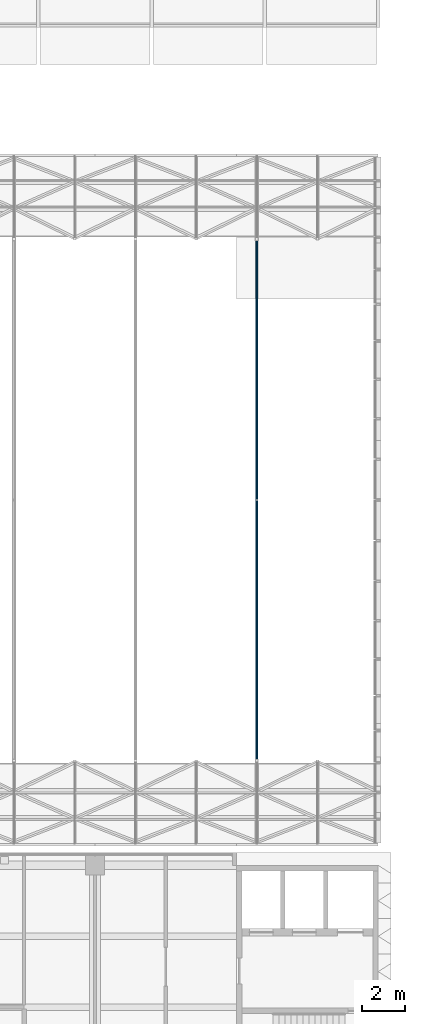
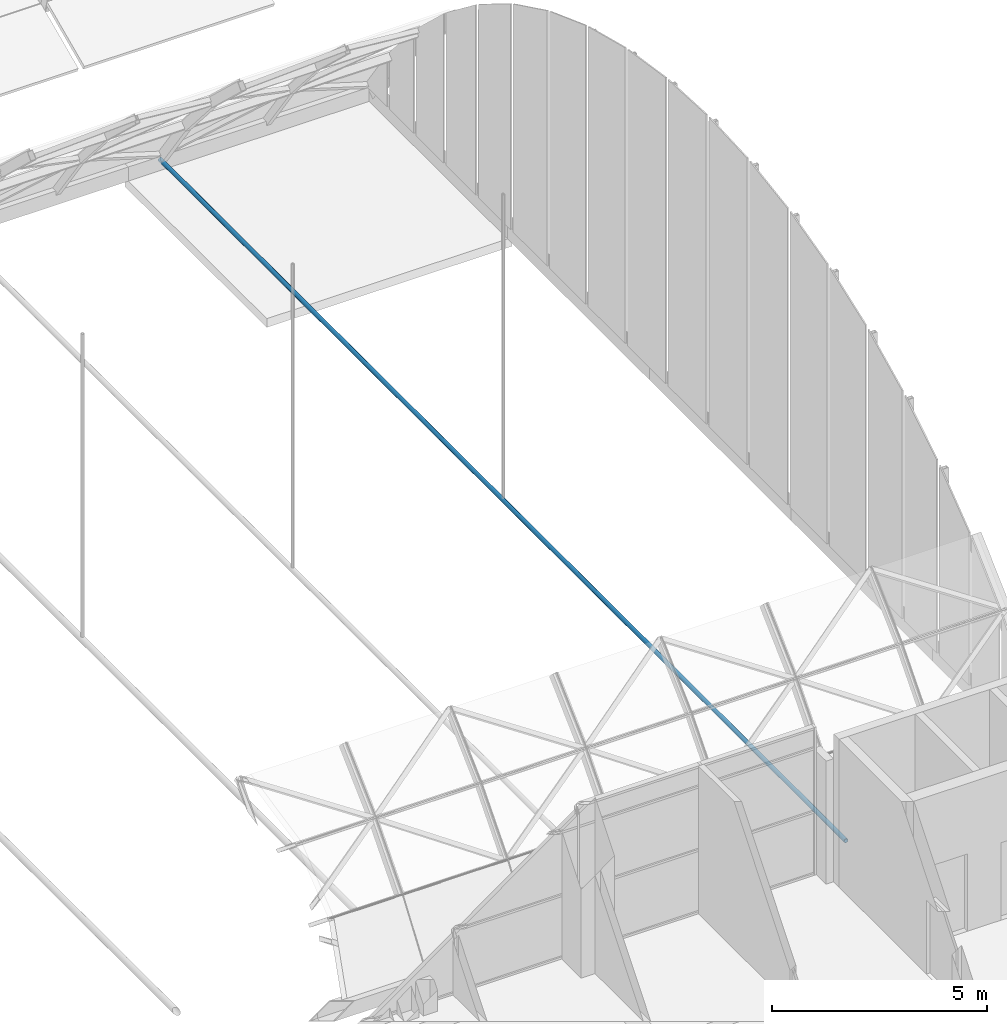
# One storey, part 33 of 109: 1 member.
"""IFC4 building model written with IfcOpenShell, lengths in metres."""

import ifcopenshell
import ifcopenshell.guid

model = None  # the IFC model being written
_history = None  # IfcOwnerHistory: only IFC2X3 demands one
_inside = {}  # id of a spatial element -> (the spatial element, [elements in it])
_under = {}  # id of a project, library or spatial element -> (it, [spatial elements below it])
_declared = {}  # id of a project -> (the project, [libraries it declares])
_typed = {}  # id of a type object -> (the type object, [elements of that type])
_made_of = {}  # id of a material, layer set ... -> (it, [elements and type objects made of it])


def new_model(schema):
    """Start an empty IFC model of exactly this schema.

    Asked for "IFC4X3", IfcOpenShell would pick the latest addendum, in which some entities
    have other attributes; the version numbers below select the first issue.
    IFC2X3 requires an IfcOwnerHistory on every rooted entity: one is made here for all.
    """
    global model, _history
    if schema == "IFC4X3":
        model = ifcopenshell.file(schema_version=(4, 3, 0, 0))
    else:
        model = ifcopenshell.file(schema=schema)
    _inside.clear()
    _under.clear()
    _declared.clear()
    _typed.clear()
    _made_of.clear()
    _history = None
    if model.schema == "IFC2X3":
        org = make("IfcOrganization", Name="unknown")
        user = make(
            "IfcPersonAndOrganization",
            ThePerson=make("IfcPerson", FamilyName="unknown"),
            TheOrganization=org,
        )
        app = make(
            "IfcApplication",
            ApplicationDeveloper=org,
            Version="unknown",
            ApplicationFullName="unknown",
            ApplicationIdentifier="unknown",
        )
        _history = make(
            "IfcOwnerHistory",
            OwningUser=user,
            OwningApplication=app,
            ChangeAction="ADDED",
            CreationDate=0,
        )
    return model


def make(cls, **values):
    """One entity of the class cls with the attributes given. An attribute that is None is left unset."""
    return model.create_entity(
        cls, **{name: value for name, value in values.items() if value is not None}
    )


def rooted(cls, **values):
    """An entity with a GlobalId (a new one), such as an element, a storey or a relation."""
    return make(cls, GlobalId=ifcopenshell.guid.new(), OwnerHistory=_history, **values)


def si_unit(unit_type, name, prefix=None):
    """IfcSIUnit, for example si_unit("LENGTHUNIT", "METRE", prefix="MILLI")."""
    return make("IfcSIUnit", UnitType=unit_type, Prefix=prefix, Name=name)


def assignment(units):
    """IfcUnitAssignment: the units of a project."""
    return None if units is None else make("IfcUnitAssignment", Units=units)


def point(xyz):
    """IfcCartesianPoint."""
    return None if xyz is None else make("IfcCartesianPoint", Coordinates=xyz)


def direction(xyz):
    """IfcDirection."""
    return None if xyz is None else make("IfcDirection", DirectionRatios=xyz)


def frame(location, z_axis=None, x_axis=None):
    """IfcAxis2Placement3D, a coordinate frame: its origin and axes. An axis left out is left unset."""
    return make(
        "IfcAxis2Placement3D",
        Location=point(location),
        Axis=direction(z_axis),
        RefDirection=direction(x_axis),
    )


def frame_2d(location, x_axis=None):
    """IfcAxis2Placement2D, a coordinate frame in the plane: its origin and x axis."""
    return make(
        "IfcAxis2Placement2D", Location=point(location), RefDirection=direction(x_axis)
    )


def origin():
    """The frame at (0, 0, 0) with its axes left unset."""
    return frame((0.0, 0.0, 0.0))


def origin_2d():
    """The frame at (0, 0) in the plane with its x axis left unset."""
    return frame_2d((0.0, 0.0))


def place(relative_to, where):
    """IfcLocalPlacement: puts the frame where relative to a parent placement (None: the world)."""
    return make(
        "IfcLocalPlacement", PlacementRelTo=relative_to, RelativePlacement=where
    )


def context(
    kind, dimensions, precision=None, world=None, true_north=None, identifier=None
):
    """IfcGeometricRepresentationContext, for example the 3D "Model" context."""
    return make(
        "IfcGeometricRepresentationContext",
        ContextIdentifier=identifier,
        ContextType=kind,
        CoordinateSpaceDimension=dimensions,
        Precision=precision,
        WorldCoordinateSystem=world,
        TrueNorth=true_north,
    )


def subcontext(parent, identifier, kind, view, scale=None):
    """IfcGeometricRepresentationSubContext, for example "Body" below "Model"."""
    return make(
        "IfcGeometricRepresentationSubContext",
        ContextIdentifier=identifier,
        ContextType=kind,
        ParentContext=parent,
        TargetScale=scale,
        TargetView=view,
    )


def project(units=None, contexts=None):
    """IfcProject with its units and contexts."""
    return rooted(
        "IfcProject",
        Name="project",
        RepresentationContexts=contexts,
        UnitsInContext=assignment(units),
    )


def spatial(cls, under=None, at=None, **own):
    """A site, building, storey or space (cls), placed at a placement, below another one or the project."""
    s = rooted(cls, ObjectPlacement=at, **own)
    if under is not None:
        _under.setdefault(under.id(), (under, []))[1].append(s)
    return s


def profile(cls, at=None, kind="AREA", **sizes):
    """A parametric profile (cls). Its sizes go by their IFC names, for example OverallWidth=200.0."""
    return make(cls, ProfileType=kind, Position=at, **sizes)


def hollow_circle(**sizes):
    """IfcCircleHollowProfileDef."""
    return profile("IfcCircleHollowProfileDef", **sizes)


def extrude(swept, where, along, depth):
    """IfcExtrudedAreaSolid: the profile swept, set in the frame where, extruded along a direction by depth."""
    return make(
        "IfcExtrudedAreaSolid",
        SweptArea=swept,
        Position=where,
        ExtrudedDirection=direction(along),
        Depth=depth,
    )


def shape(context_of_items, identifier, shape_type, items):
    """IfcShapeRepresentation: the items that make up one representation, for example the "Body"."""
    return make(
        "IfcShapeRepresentation",
        ContextOfItems=context_of_items,
        RepresentationIdentifier=identifier,
        RepresentationType=shape_type,
        Items=items,
    )


def material(Name=None, Category=None):
    """IfcMaterial."""
    return make("IfcMaterial", Name=Name, Category=Category)


def material_profile(
    of_material, cross_section, Name=None, Category=None, Priority=None
):
    """IfcMaterialProfile: a cross section and its material."""
    return make(
        "IfcMaterialProfile",
        Name=Name,
        Material=of_material,
        Profile=cross_section,
        Priority=Priority,
        Category=Category,
    )


def profile_set(profiles, Name=None, composite=None):
    """IfcMaterialProfileSet."""
    return make(
        "IfcMaterialProfileSet",
        Name=Name,
        MaterialProfiles=profiles,
        CompositeProfile=composite,
    )


def made_of(thing, what):
    """Note that an element or type object is made of a material, layer set ...; save() writes the relation."""
    if what is not None:
        _made_of.setdefault(what.id(), (what, []))[1].append(thing)
    return thing


def type_object(cls, material=None, **own):
    """A type object (cls), such as IfcWallType, which elements share."""
    return made_of(rooted(cls, **own), material)


def element(
    cls,
    number,
    at=None,
    inside=None,
    cuts=None,
    type_object=None,
    material=None,
    context=None,
    identifier="Body",
    shape_type=None,
    held_by="IfcProductDefinitionShape",
    body=None,
    shapes=None,
    **own,
):
    """One element of the class cls, such as IfcWall. Its Tag is "e" and its number.

    at: its placement. inside: the storey or other place that contains it. cuts: it is an
    opening in that element (IfcRelVoidsElement). A single representation is given by context,
    identifier, shape_type and body (its items); several are given by shapes. held_by: the class
    of the entity that holds the representations. save() writes the other relations.
    """
    e = rooted(cls, Tag="e%d" % number, ObjectPlacement=at, **own)
    if body is not None:
        shapes = [shape(context, identifier, shape_type, body)]
    if shapes is not None:
        e.Representation = make(held_by, Representations=shapes)
    if inside is not None:
        _inside.setdefault(inside.id(), (inside, []))[1].append(e)
    if cuts is not None:
        rooted(
            "IfcRelVoidsElement", RelatingBuildingElement=cuts, RelatedOpeningElement=e
        )
    if type_object is not None:
        _typed.setdefault(type_object.id(), (type_object, []))[1].append(e)
    return made_of(e, material)


def aggregate(whole, parts):
    """IfcRelAggregates: a whole, such as a stair, and the parts it consists of."""
    return rooted("IfcRelAggregates", RelatingObject=whole, RelatedObjects=parts)


def save(model, path):
    """Write the relations noted so far, then the file.

    IfcRelAggregates (storeys below a building ...), IfcRelContainedInSpatialStructure (elements
    in a storey), IfcRelDefinesByType, IfcRelAssociatesMaterial and IfcRelDeclares: one each for
    every whole, place, type object, material and project.
    """
    for whole, parts in _under.values():
        aggregate(whole, parts)
    for where, things in _inside.values():
        rooted(
            "IfcRelContainedInSpatialStructure",
            RelatedElements=things,
            RelatingStructure=where,
        )
    for kind, things in _typed.values():
        rooted("IfcRelDefinesByType", RelatedObjects=things, RelatingType=kind)
    for what, things in _made_of.values():
        rooted("IfcRelAssociatesMaterial", RelatedObjects=things, RelatingMaterial=what)
    for by, libraries in _declared.values():
        rooted("IfcRelDeclares", RelatingContext=by, RelatedDefinitions=libraries)
    model.write(path)


model = new_model("IFC4")

# Units and contexts
model_context = context("Model", 3, precision=1e-05, world=origin(), true_north=direction((0.0, 1.0)))
body_context = subcontext(model_context, "Body", "Model", "MODEL_VIEW")
ifc_project = project(units=[si_unit("LENGTHUNIT", "METRE"), si_unit("AREAUNIT", "SQUARE_METRE"), si_unit("VOLUMEUNIT", "CUBIC_METRE"), si_unit("PLANEANGLEUNIT", "RADIAN"), si_unit("MASSUNIT", "GRAM", prefix="KILO")], contexts=[model_context])

# Site, building, storey
site_placement = place(None, origin())
site = spatial("IfcSite", under=ifc_project, at=site_placement, CompositionType="ELEMENT")
building_placement = place(site_placement, origin())
building = spatial("IfcBuilding", under=site, at=building_placement, Name="Lantern Court Research Institute", CompositionType="ELEMENT")
storey_placement = place(building_placement, frame((0.0, 0.0, 14.39990234375)))
storey = spatial("IfcBuildingStorey", under=building, at=storey_placement, Name="L03", CompositionType="ELEMENT", Elevation=14.39990234375)

# Member
ifc_material = material(Name="Structural steel S355", Category="steel")
ifc_material_profile = material_profile(ifc_material, hollow_circle(Radius=0.05712890625, WallThickness=0.00634765625, at=origin_2d()), Name="Gridshell end tie CHS 114.3 x 6.3")
ifc_profile_set = profile_set([ifc_material_profile], Name="Structural steel S355")
member_type = type_object("IfcMemberType", Name="Gridshell end tie CHS 114.3 x 6.3", PredefinedType="MEMBER", material=ifc_profile_set)
member_placement = place(storey_placement, frame((73.54296875, 24.14990234375, 0.2001953125), z_axis=(0.0, 1.0, 0.0), x_axis=(-1.0, 0.0, 0.0)))
element("IfcMember", 1, at=member_placement, inside=storey, type_object=member_type, Name="Gridshell tie", PredefinedType="MEMBER", context=body_context, shape_type="SweptSolid", body=[
    extrude(hollow_circle(Radius=0.05712890625, WallThickness=0.00634765625, at=origin_2d()), origin(), (0.0, 0.0, 1.0), 31.9501953125),
])

save(model, "model.ifc")
